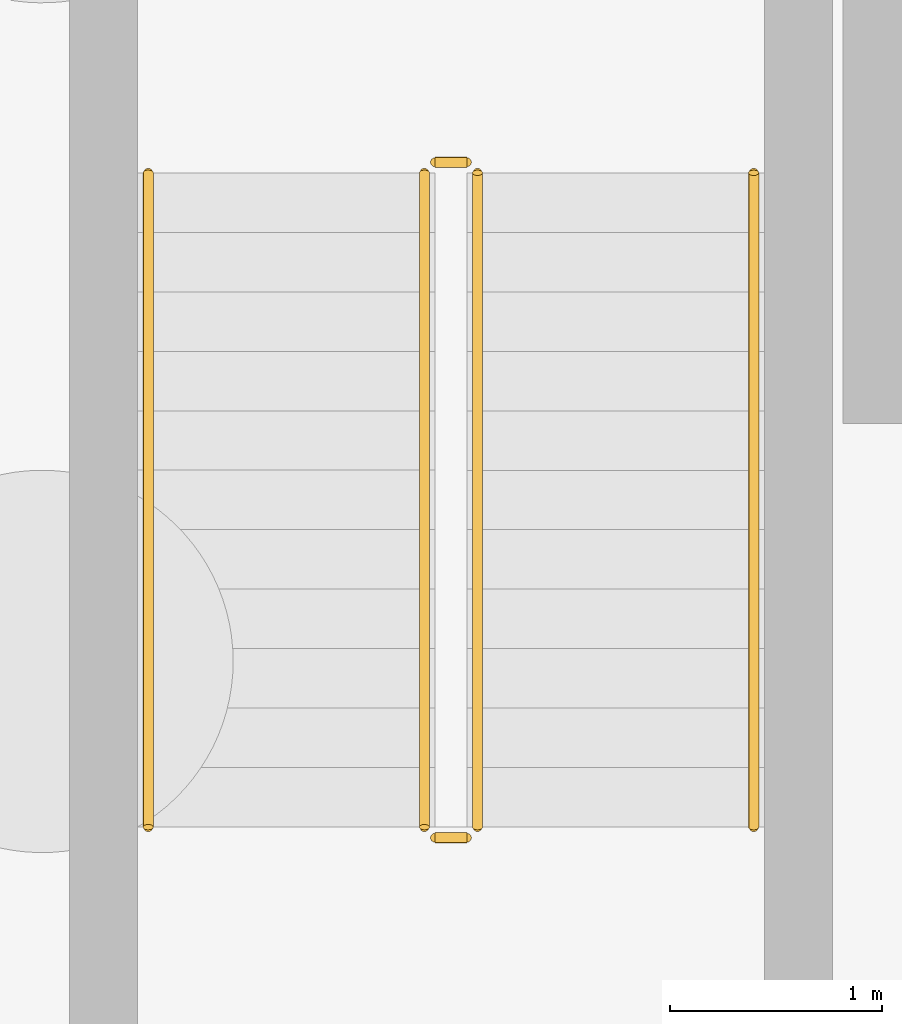
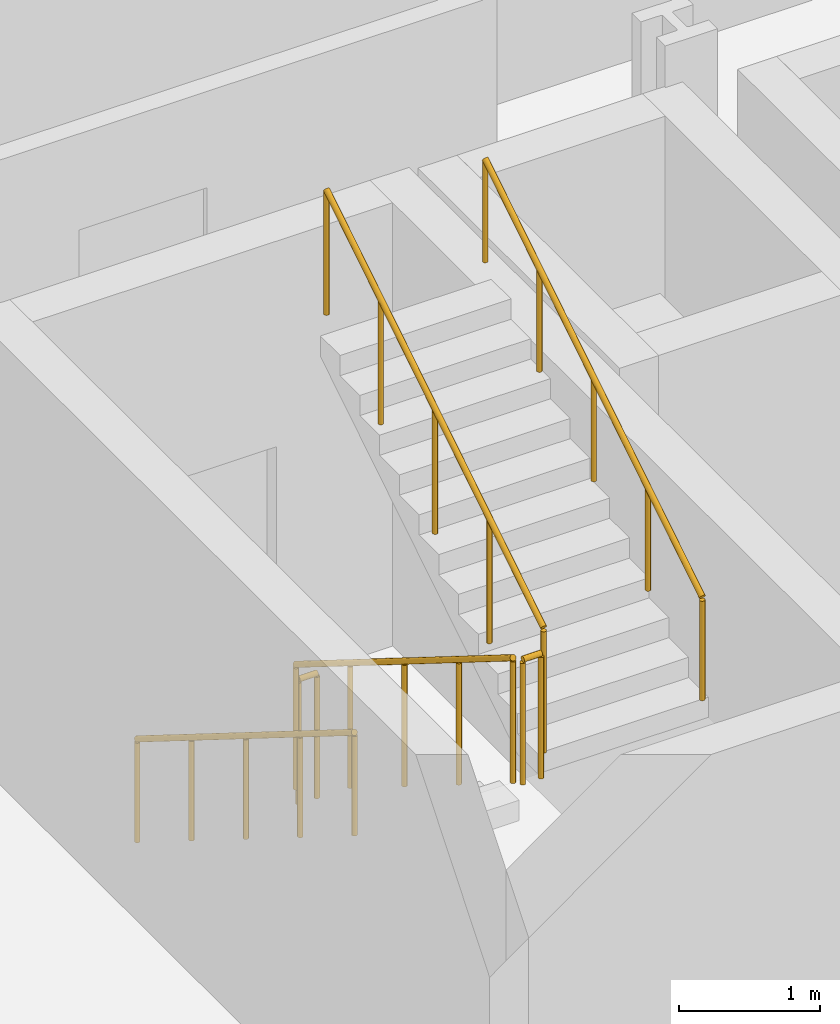
# One storey, part 6 of 7: 6 railings.
"""IFC4 building model written with IfcOpenShell, lengths in metres."""

from ifc_helpers import new_model, si_unit, direction, frame, origin, origin_2d, place, context, subcontext, project, spatial, circle, extrude, material, type_object, element, save


model = new_model("IFC4")

# Units and contexts
model_context = context("Model", 3, precision=1e-05, world=origin(), true_north=direction((0.0, 1.0)))
body_context = subcontext(model_context, "Body", "Model", "MODEL_VIEW")
ifc_project = project(units=[si_unit("LENGTHUNIT", "METRE"), si_unit("AREAUNIT", "SQUARE_METRE"), si_unit("VOLUMEUNIT", "CUBIC_METRE"), si_unit("PLANEANGLEUNIT", "RADIAN"), si_unit("MASSUNIT", "GRAM", prefix="KILO")], contexts=[model_context])

# Site, building, storey
site_placement = place(None, origin())
site = spatial("IfcSite", under=ifc_project, at=site_placement, CompositionType="ELEMENT")
building_placement = place(site_placement, origin())
building = spatial("IfcBuilding", under=site, at=building_placement, Name="Brevholm Reach", CompositionType="ELEMENT")
storey_placement = place(building_placement, frame((0.0, 0.0, -8.39990234375)))
storey = spatial("IfcBuildingStorey", under=building, at=storey_placement, Name="B02", CompositionType="ELEMENT", Elevation=-8.39990234375)

# Railings
ifc_material_1 = material(Name="Brushed Stainless Steel EN 1.4401 Continuous Handrail", Category="steel")
railing_type_1 = type_object("IfcRailingType", Name="RAL-HND-950", PredefinedType="HANDRAIL", material=ifc_material_1)
railing_1_placement = place(storey_placement, frame((42.5, 8.10009765625, 0.1748046875)))
element("IfcRailing", 1, at=railing_1_placement, inside=storey, type_object=railing_type_1, Name="B02 ST-2 stair handrail 1", PredefinedType="HANDRAIL", context=body_context, shape_type="SweptSolid", body=[
    extrude(circle(Radius=0.02392578125, at=origin_2d()), frame((0.0, 0.0, 0.8857421875), z_axis=(0.0, -0.847998304005, 0.529998940003), x_axis=(1.0, 0.0, 0.0)), (0.0, 0.0, 1.0), 3.632080078125),
    extrude(circle(Radius=0.02099609375, at=origin_2d()), origin(), (0.0, 0.0, 1.0), 0.86181640625),
    extrude(circle(Radius=0.02099609375, at=origin_2d()), frame((0.0, -0.77001953125, 0.481201171875)), (0.0, 0.0, 1.0), 0.86181640625),
    extrude(circle(Radius=0.02099609375, at=origin_2d()), frame((0.0, -1.5400390625, 0.96240234375)), (0.0, 0.0, 1.0), 0.86181640625),
    extrude(circle(Radius=0.02099609375, at=origin_2d()), frame((0.0, -2.31005859375, 1.44384765625)), (0.0, 0.0, 1.0), 0.86181640625),
    extrude(circle(Radius=0.02099609375, at=origin_2d()), frame((0.0, -3.080078125, 1.925048828125)), (0.0, 0.0, 1.0), 0.86181640625),
])
railing_2_placement = place(storey_placement, frame((45.35009765625, 5.02001953125, 2.27490234375)))
element("IfcRailing", 2, at=railing_2_placement, inside=storey, type_object=railing_type_1, Name="B02 ST-2 stair handrail 2", PredefinedType="HANDRAIL", context=body_context, shape_type="SweptSolid", body=[
    extrude(circle(Radius=0.02392578125, at=origin_2d()), frame((0.0, 0.0, 0.8857421875), z_axis=(0.0, 0.847998304005, 0.529998940003), x_axis=(-1.0, 0.0, 0.0)), (0.0, 0.0, 1.0), 3.632080078125),
    extrude(circle(Radius=0.02099609375, at=origin_2d()), origin(), (0.0, 0.0, 1.0), 0.86181640625),
    extrude(circle(Radius=0.02099609375, at=origin_2d()), frame((0.0, 0.77001953125, 0.481201171875)), (0.0, 0.0, 1.0), 0.86181640625),
    extrude(circle(Radius=0.02099609375, at=origin_2d()), frame((0.0, 1.5400390625, 0.96240234375)), (0.0, 0.0, 1.0), 0.86181640625),
    extrude(circle(Radius=0.02099609375, at=origin_2d()), frame((0.0, 2.31005859375, 1.44384765625)), (0.0, 0.0, 1.0), 0.86181640625),
    extrude(circle(Radius=0.02099609375, at=origin_2d()), frame((0.0, 3.080078125, 1.925048828125)), (0.0, 0.0, 1.0), 0.86181640625),
])
ifc_material_2 = material(Name="Painted Tubular Galvanised Steel S275JR Stair Guard", Category="steel")
railing_type_2 = type_object("IfcRailingType", Name="RAL-STG-1120", PredefinedType="BALUSTRADE", material=ifc_material_2)
railing_3_placement = place(storey_placement, frame((43.800048828125, 8.10009765625, 0.1748046875)))
element("IfcRailing", 3, at=railing_3_placement, inside=storey, type_object=railing_type_2, Name="B02 ST-2 stair guard 1", PredefinedType="BALUSTRADE", context=body_context, shape_type="SweptSolid", body=[
    extrude(circle(Radius=0.02392578125, at=origin_2d()), frame((0.0, 0.0, 1.076171875), z_axis=(0.0, -0.847998304005, 0.529998940003), x_axis=(1.0, 0.0, 0.0)), (0.0, 0.0, 1.0), 3.632080078125),
    extrude(circle(Radius=0.02099609375, at=origin_2d()), origin(), (0.0, 0.0, 1.0), 1.052001953125),
    extrude(circle(Radius=0.02099609375, at=origin_2d()), frame((0.0, -0.77001953125, 0.481201171875)), (0.0, 0.0, 1.0), 1.052001953125),
    extrude(circle(Radius=0.02099609375, at=origin_2d()), frame((0.0, -1.5400390625, 0.96240234375)), (0.0, 0.0, 1.0), 1.052001953125),
    extrude(circle(Radius=0.02099609375, at=origin_2d()), frame((0.0, -2.31005859375, 1.44384765625)), (0.0, 0.0, 1.0), 1.052001953125),
    extrude(circle(Radius=0.02099609375, at=origin_2d()), frame((0.0, -3.080078125, 1.925048828125)), (0.0, 0.0, 1.0), 1.052001953125),
])
railing_4_placement = place(storey_placement, frame((43.85009765625, 4.969970703125, 2.099853515625)))
element("IfcRailing", 4, at=railing_4_placement, inside=storey, type_object=railing_type_2, Name="B02 ST-2 stair guard 2", PredefinedType="BALUSTRADE", context=body_context, shape_type="SweptSolid", body=[
    extrude(circle(Radius=0.02392578125, at=origin_2d()), frame((0.0, 0.0, 1.076171875), z_axis=(1.0, 0.0, 0.0), x_axis=(0.0, 1.0, 0.0)), (0.0, 0.0, 1.0), 0.14990234375),
    extrude(circle(Radius=0.02099609375, at=origin_2d()), origin(), (0.0, 0.0, 1.0), 1.052001953125),
    extrude(circle(Radius=0.02099609375, at=origin_2d()), frame((0.14990234375, 0.0, 0.0)), (0.0, 0.0, 1.0), 1.052001953125),
])
railing_5_placement = place(storey_placement, frame((44.050048828125, 5.02001953125, 2.27490234375)))
element("IfcRailing", 5, at=railing_5_placement, inside=storey, type_object=railing_type_2, Name="B02 ST-2 stair guard 3", PredefinedType="BALUSTRADE", context=body_context, shape_type="SweptSolid", body=[
    extrude(circle(Radius=0.02392578125, at=origin_2d()), frame((0.0, 0.0, 1.076171875), z_axis=(0.0, 0.847998304005, 0.529998940003), x_axis=(-1.0, 0.0, 0.0)), (0.0, 0.0, 1.0), 3.632080078125),
    extrude(circle(Radius=0.02099609375, at=origin_2d()), origin(), (0.0, 0.0, 1.0), 1.052001953125),
    extrude(circle(Radius=0.02099609375, at=origin_2d()), frame((0.0, 0.77001953125, 0.481201171875)), (0.0, 0.0, 1.0), 1.052001953125),
    extrude(circle(Radius=0.02099609375, at=origin_2d()), frame((0.0, 1.5400390625, 0.96240234375)), (0.0, 0.0, 1.0), 1.052001953125),
    extrude(circle(Radius=0.02099609375, at=origin_2d()), frame((0.0, 2.31005859375, 1.44384765625)), (0.0, 0.0, 1.0), 1.052001953125),
    extrude(circle(Radius=0.02099609375, at=origin_2d()), frame((0.0, 3.080078125, 1.925048828125)), (0.0, 0.0, 1.0), 1.052001953125),
])
railing_6_placement = place(storey_placement, frame((43.85009765625, 8.14990234375, 0.0)))
element("IfcRailing", 6, at=railing_6_placement, inside=storey, type_object=railing_type_2, Name="B02 ST-2 stair guard 4", PredefinedType="BALUSTRADE", context=body_context, shape_type="SweptSolid", body=[
    extrude(circle(Radius=0.02392578125, at=origin_2d()), frame((0.0, 0.0, 1.076171875), z_axis=(1.0, 0.0, 0.0), x_axis=(0.0, 1.0, 0.0)), (0.0, 0.0, 1.0), 0.14990234375),
    extrude(circle(Radius=0.02099609375, at=origin_2d()), origin(), (0.0, 0.0, 1.0), 1.052001953125),
    extrude(circle(Radius=0.02099609375, at=origin_2d()), frame((0.14990234375, 0.0, 0.0)), (0.0, 0.0, 1.0), 1.052001953125),
])

save(model, "model.ifc")
